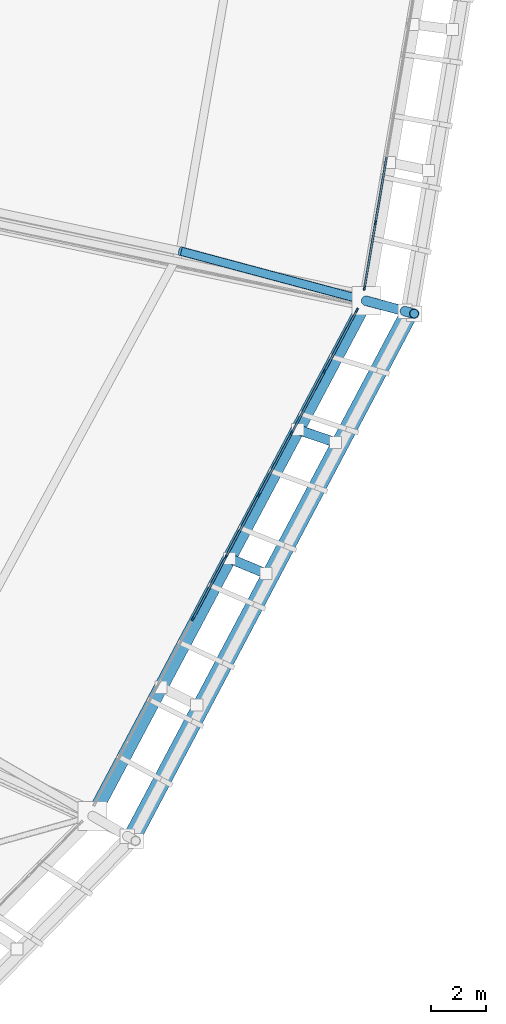
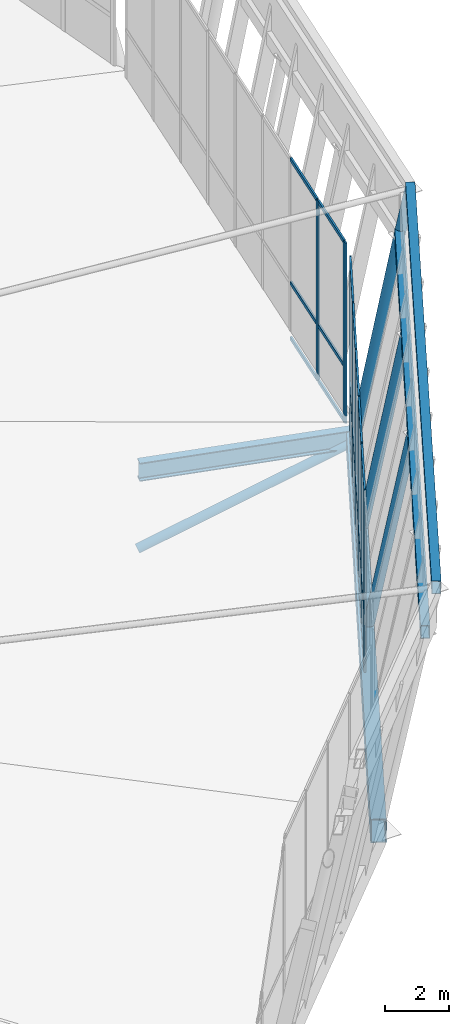
# One storey, part 48 of 115: 34 members, 4 beams, 2 elements without a shape of their own.
"""IFC4 building model written with IfcOpenShell, lengths in metres."""

from ifc_helpers import new_model, si_unit, direction, frame, origin, origin_2d, place, context, subcontext, project, spatial, rectangle, hollow_rectangle, hollow_circle, i_section, extrude, material, material_profile, profile_set, type_object, element, aggregate, save


model = new_model("IFC4")

# Units and contexts
model_context = context("Model", 3, precision=1e-05, world=origin(), true_north=direction((0.0, 1.0)))
body_context = subcontext(model_context, "Body", "Model", "MODEL_VIEW")
ifc_project = project(units=[si_unit("LENGTHUNIT", "METRE"), si_unit("AREAUNIT", "SQUARE_METRE"), si_unit("VOLUMEUNIT", "CUBIC_METRE"), si_unit("PLANEANGLEUNIT", "RADIAN"), si_unit("MASSUNIT", "GRAM", prefix="KILO")], contexts=[model_context])

# Site, building, storey
site_placement = place(None, origin())
site = spatial("IfcSite", under=ifc_project, at=site_placement, CompositionType="ELEMENT")
building_placement = place(site_placement, origin())
building = spatial("IfcBuilding", under=site, at=building_placement, Name="Zlatoyarsky Gate Stadium", CompositionType="ELEMENT")
storey_placement = place(building_placement, frame((0.0, 0.0, 31.800048828125)))
storey = spatial("IfcBuildingStorey", under=building, at=storey_placement, Name="RF", CompositionType="ELEMENT", Elevation=31.800048828125)

# Curtain wall, members
ifc_material_1 = material(Name="Thermally broken anodised aluminium curtain wall", Category="aluminium")
curtain_wall_type = type_object("IfcCurtainWallType", Name="UNITISED SKYBOX RING GLAZING L05", PredefinedType="USERDEFINED", material=ifc_material_1)
curtain_wall_1_placement = place(storey_placement, origin())
curtain_wall_1 = element("IfcCurtainWall", 1, at=curtain_wall_1_placement, inside=storey, type_object=curtain_wall_type, Name="Curtain wall CW-RF-22", ObjectType="UNITISED GLAZING", PredefinedType="USERDEFINED")
ifc_material_2 = material(Name="Anodised aluminium 6063-T6", Category="aluminium")
ifc_material_profile_1 = material_profile(ifc_material_2, rectangle(XDim=0.06494140625, YDim=0.159912109375, at=origin_2d()), Name="ALU 65X160")
ifc_profile_set_1 = profile_set([ifc_material_profile_1], Name="Anodised aluminium 6063-T6")
member_type_1 = type_object("IfcMemberType", Name="ALUMINIUM MULLION 65X160", PredefinedType="MULLION", material=ifc_profile_set_1)
member_1_placement = place(storey_placement, frame((201.294189453125, 48.18896484375, 0.0), z_axis=(0.0, 0.0, 1.0), x_axis=(-0.883130898599, 0.469126652345, 0.0)))
member_1 = element("IfcMember", 2, at=member_1_placement, type_object=member_type_1, Name="CW-UG5 mullion 4", PredefinedType="MULLION", context=body_context, shape_type="SweptSolid", body=[
    extrude(rectangle(XDim=0.06494140625, YDim=0.159912109375, at=origin_2d()), origin(), (0.0, 0.0, 1.0), 6.89990234375),
])
member_2_placement = place(storey_placement, frame((202.49462890625, 50.44873046875, 0.0), z_axis=(0.0, 0.0, 1.0), x_axis=(-0.883130898599, 0.469126652345, 0.0)))
member_2 = element("IfcMember", 3, at=member_2_placement, type_object=member_type_1, Name="CW-UG5 mullion 5", PredefinedType="MULLION", context=body_context, shape_type="SweptSolid", body=[
    extrude(rectangle(XDim=0.06494140625, YDim=0.159912109375, at=origin_2d()), origin(), (0.0, 0.0, 1.0), 6.89990234375),
])
member_3_placement = place(storey_placement, frame((203.695068359375, 52.70849609375, 0.0), z_axis=(0.0, 0.0, 1.0), x_axis=(-0.883130898599, 0.469126652345, 0.0)))
member_3 = element("IfcMember", 4, at=member_3_placement, type_object=member_type_1, Name="CW-UG5 mullion 6", PredefinedType="MULLION", context=body_context, shape_type="SweptSolid", body=[
    extrude(rectangle(XDim=0.06494140625, YDim=0.159912109375, at=origin_2d()), origin(), (0.0, 0.0, 1.0), 6.89990234375),
])
member_4_placement = place(storey_placement, frame((204.8955078125, 54.96826171875, 0.0), z_axis=(0.0, 0.0, 1.0), x_axis=(-0.883130898599, 0.469126652345, 0.0)))
member_4 = element("IfcMember", 5, at=member_4_placement, type_object=member_type_1, Name="CW-UG5 mullion 7", PredefinedType="MULLION", context=body_context, shape_type="SweptSolid", body=[
    extrude(rectangle(XDim=0.06494140625, YDim=0.159912109375, at=origin_2d()), origin(), (0.0, 0.0, 1.0), 6.89990234375),
])
member_5_placement = place(storey_placement, frame((206.095947265625, 57.22802734375, 0.0), z_axis=(0.0, 0.0, 1.0), x_axis=(-0.883130898599, 0.469126652345, 0.0)))
member_5 = element("IfcMember", 6, at=member_5_placement, type_object=member_type_1, Name="CW-UG5 mullion 8", PredefinedType="MULLION", context=body_context, shape_type="SweptSolid", body=[
    extrude(rectangle(XDim=0.06494140625, YDim=0.159912109375, at=origin_2d()), origin(), (0.0, 0.0, 1.0), 6.89990234375),
])
member_6_placement = place(storey_placement, frame((207.281005859375, 59.459228515625, 0.0), z_axis=(0.0, 0.0, 1.0), x_axis=(-0.883130898599, 0.469126652345, 0.0)))
member_6 = element("IfcMember", 7, at=member_6_placement, type_object=member_type_1, Name="CW-UG5 mullion 9", PredefinedType="MULLION", context=body_context, shape_type="SweptSolid", body=[
    extrude(rectangle(XDim=0.06494140625, YDim=0.159912109375, at=origin_2d()), origin(), (0.0, 0.0, 1.0), 6.89990234375),
])

curtain_wall_2_placement = place(storey_placement, origin())
curtain_wall_2 = element("IfcCurtainWall", 8, at=curtain_wall_2_placement, inside=storey, type_object=curtain_wall_type, Name="Curtain wall CW-RF-23", ObjectType="UNITISED GLAZING", PredefinedType="USERDEFINED")
member_7_placement = place(storey_placement, frame((207.555908203125, 60.267578125, 0.0), z_axis=(0.0, 0.0, 1.0), x_axis=(-0.986044463486, 0.166482179311, 0.0)))
member_7 = element("IfcMember", 9, at=member_7_placement, type_object=member_type_1, Name="CW-UG5 mullion 1", PredefinedType="MULLION", context=body_context, shape_type="SweptSolid", body=[
    extrude(rectangle(XDim=0.06494140625, YDim=0.159912109375, at=origin_2d()), origin(), (0.0, 0.0, 1.0), 6.89990234375),
])
member_8_placement = place(storey_placement, frame((207.95947265625, 62.65673828125, 0.0), z_axis=(0.0, 0.0, 1.0), x_axis=(-0.986044463486, 0.166482179311, 0.0)))
member_8 = element("IfcMember", 10, at=member_8_placement, type_object=member_type_1, Name="CW-UG5 mullion 2", PredefinedType="MULLION", context=body_context, shape_type="SweptSolid", body=[
    extrude(rectangle(XDim=0.06494140625, YDim=0.159912109375, at=origin_2d()), origin(), (0.0, 0.0, 1.0), 6.89990234375),
])

# Member
ifc_material_profile_2 = material_profile(ifc_material_2, rectangle(XDim=0.06494140625, YDim=0.139892578125, at=origin_2d()), Name="ALU 65X140")
ifc_profile_set_2 = profile_set([ifc_material_profile_2], Name="Anodised aluminium 6063-T6")
member_type_2 = type_object("IfcMemberType", Name="ALUMINIUM TRANSOM 65X140", PredefinedType="USERDEFINED", material=ifc_profile_set_2)
member_9_placement = place(storey_placement, frame((201.309326171875, 48.217529296875, 0.032470703125), z_axis=(0.469124208683, 0.883132196688, 0.0), x_axis=(-0.883132196688, 0.469124208683, 0.0)))
member_9 = element("IfcMember", 11, at=member_9_placement, type_object=member_type_2, Name="CW-UG5 transom 4.1", ObjectType="TRANSOM", PredefinedType="USERDEFINED", context=body_context, shape_type="SweptSolid", body=[
    extrude(rectangle(XDim=0.06494140625, YDim=0.139892578125, at=origin_2d()), origin(), (0.0, 0.0, 1.0), 2.493896484375),
])

member_10_placement = place(storey_placement, frame((201.309326171875, 48.217529296875, 2.14990234375), z_axis=(0.469124208683, 0.883132196688, 0.0), x_axis=(-0.883132196688, 0.469124208683, 0.0)))
member_10 = element("IfcMember", 12, at=member_10_placement, type_object=member_type_2, Name="CW-UG5 transom 4.2", ObjectType="TRANSOM", PredefinedType="USERDEFINED", context=body_context, shape_type="SweptSolid", body=[
    extrude(rectangle(XDim=0.06494140625, YDim=0.139892578125, at=origin_2d()), origin(), (0.0, 0.0, 1.0), 2.493896484375),
])

member_11_placement = place(storey_placement, frame((201.309326171875, 48.217529296875, 6.867431640625), z_axis=(0.469124208683, 0.883132196688, 0.0), x_axis=(-0.883132196688, 0.469124208683, 0.0)))
member_11 = element("IfcMember", 13, at=member_11_placement, type_object=member_type_2, Name="CW-UG5 transom 4.3", ObjectType="TRANSOM", PredefinedType="USERDEFINED", context=body_context, shape_type="SweptSolid", body=[
    extrude(rectangle(XDim=0.06494140625, YDim=0.139892578125, at=origin_2d()), origin(), (0.0, 0.0, 1.0), 2.493896484375),
])

member_12_placement = place(storey_placement, frame((202.509765625, 50.477294921875, 0.032470703125), z_axis=(0.469124208683, 0.883132196688, 0.0), x_axis=(-0.883132196688, 0.469124208683, 0.0)))
member_12 = element("IfcMember", 14, at=member_12_placement, type_object=member_type_2, Name="CW-UG5 transom 5.1", ObjectType="TRANSOM", PredefinedType="USERDEFINED", context=body_context, shape_type="SweptSolid", body=[
    extrude(rectangle(XDim=0.06494140625, YDim=0.139892578125, at=origin_2d()), origin(), (0.0, 0.0, 1.0), 2.493896484375),
])

member_13_placement = place(storey_placement, frame((202.509765625, 50.477294921875, 2.14990234375), z_axis=(0.469124208683, 0.883132196688, 0.0), x_axis=(-0.883132196688, 0.469124208683, 0.0)))
member_13 = element("IfcMember", 15, at=member_13_placement, type_object=member_type_2, Name="CW-UG5 transom 5.2", ObjectType="TRANSOM", PredefinedType="USERDEFINED", context=body_context, shape_type="SweptSolid", body=[
    extrude(rectangle(XDim=0.06494140625, YDim=0.139892578125, at=origin_2d()), origin(), (0.0, 0.0, 1.0), 2.493896484375),
])

member_14_placement = place(storey_placement, frame((202.509765625, 50.477294921875, 6.867431640625), z_axis=(0.469124208683, 0.883132196688, 0.0), x_axis=(-0.883132196688, 0.469124208683, 0.0)))
member_14 = element("IfcMember", 16, at=member_14_placement, type_object=member_type_2, Name="CW-UG5 transom 5.3", ObjectType="TRANSOM", PredefinedType="USERDEFINED", context=body_context, shape_type="SweptSolid", body=[
    extrude(rectangle(XDim=0.06494140625, YDim=0.139892578125, at=origin_2d()), origin(), (0.0, 0.0, 1.0), 2.493896484375),
])

member_15_placement = place(storey_placement, frame((203.710205078125, 52.7373046875, 0.032470703125), z_axis=(0.469124208683, 0.883132196688, 0.0), x_axis=(-0.883132196688, 0.469124208683, 0.0)))
member_15 = element("IfcMember", 17, at=member_15_placement, type_object=member_type_2, Name="CW-UG5 transom 6.1", ObjectType="TRANSOM", PredefinedType="USERDEFINED", context=body_context, shape_type="SweptSolid", body=[
    extrude(rectangle(XDim=0.06494140625, YDim=0.139892578125, at=origin_2d()), origin(), (0.0, 0.0, 1.0), 2.493896484375),
])

member_16_placement = place(storey_placement, frame((203.710205078125, 52.7373046875, 2.14990234375), z_axis=(0.469124208683, 0.883132196688, 0.0), x_axis=(-0.883132196688, 0.469124208683, 0.0)))
member_16 = element("IfcMember", 18, at=member_16_placement, type_object=member_type_2, Name="CW-UG5 transom 6.2", ObjectType="TRANSOM", PredefinedType="USERDEFINED", context=body_context, shape_type="SweptSolid", body=[
    extrude(rectangle(XDim=0.06494140625, YDim=0.139892578125, at=origin_2d()), origin(), (0.0, 0.0, 1.0), 2.493896484375),
])

member_17_placement = place(storey_placement, frame((203.710205078125, 52.7373046875, 6.867431640625), z_axis=(0.469124208683, 0.883132196688, 0.0), x_axis=(-0.883132196688, 0.469124208683, 0.0)))
member_17 = element("IfcMember", 19, at=member_17_placement, type_object=member_type_2, Name="CW-UG5 transom 6.3", ObjectType="TRANSOM", PredefinedType="USERDEFINED", context=body_context, shape_type="SweptSolid", body=[
    extrude(rectangle(XDim=0.06494140625, YDim=0.139892578125, at=origin_2d()), origin(), (0.0, 0.0, 1.0), 2.493896484375),
])

member_18_placement = place(storey_placement, frame((204.91064453125, 54.9970703125, 0.032470703125), z_axis=(0.469124208683, 0.883132196688, 0.0), x_axis=(-0.883132196688, 0.469124208683, 0.0)))
member_18 = element("IfcMember", 20, at=member_18_placement, type_object=member_type_2, Name="CW-UG5 transom 7.1", ObjectType="TRANSOM", PredefinedType="USERDEFINED", context=body_context, shape_type="SweptSolid", body=[
    extrude(rectangle(XDim=0.06494140625, YDim=0.139892578125, at=origin_2d()), origin(), (0.0, 0.0, 1.0), 2.493896484375),
])

member_19_placement = place(storey_placement, frame((204.91064453125, 54.9970703125, 2.14990234375), z_axis=(0.469124208683, 0.883132196688, 0.0), x_axis=(-0.883132196688, 0.469124208683, 0.0)))
member_19 = element("IfcMember", 21, at=member_19_placement, type_object=member_type_2, Name="CW-UG5 transom 7.2", ObjectType="TRANSOM", PredefinedType="USERDEFINED", context=body_context, shape_type="SweptSolid", body=[
    extrude(rectangle(XDim=0.06494140625, YDim=0.139892578125, at=origin_2d()), origin(), (0.0, 0.0, 1.0), 2.493896484375),
])

member_20_placement = place(storey_placement, frame((204.91064453125, 54.9970703125, 6.867431640625), z_axis=(0.469124208683, 0.883132196688, 0.0), x_axis=(-0.883132196688, 0.469124208683, 0.0)))
member_20 = element("IfcMember", 22, at=member_20_placement, type_object=member_type_2, Name="CW-UG5 transom 7.3", ObjectType="TRANSOM", PredefinedType="USERDEFINED", context=body_context, shape_type="SweptSolid", body=[
    extrude(rectangle(XDim=0.06494140625, YDim=0.139892578125, at=origin_2d()), origin(), (0.0, 0.0, 1.0), 2.493896484375),
])

member_21_placement = place(storey_placement, frame((206.111083984375, 57.2568359375, 0.032470703125), z_axis=(0.469176983035, 0.883104160669, 0.0), x_axis=(-0.883104160669, 0.469176983035, 0.0)))
member_21 = element("IfcMember", 23, at=member_21_placement, type_object=member_type_2, Name="CW-UG5 transom 8.1", ObjectType="TRANSOM", PredefinedType="USERDEFINED", context=body_context, shape_type="SweptSolid", body=[
    extrude(rectangle(XDim=0.06494140625, YDim=0.139892578125, at=origin_2d()), origin(), (0.0, 0.0, 1.0), 2.461181640625),
])

member_22_placement = place(storey_placement, frame((206.111083984375, 57.2568359375, 2.14990234375), z_axis=(0.469176983035, 0.883104160669, 0.0), x_axis=(-0.883104160669, 0.469176983035, 0.0)))
member_22 = element("IfcMember", 24, at=member_22_placement, type_object=member_type_2, Name="CW-UG5 transom 8.2", ObjectType="TRANSOM", PredefinedType="USERDEFINED", context=body_context, shape_type="SweptSolid", body=[
    extrude(rectangle(XDim=0.06494140625, YDim=0.139892578125, at=origin_2d()), origin(), (0.0, 0.0, 1.0), 2.461181640625),
])

member_23_placement = place(storey_placement, frame((206.111083984375, 57.2568359375, 6.867431640625), z_axis=(0.469176983035, 0.883104160669, 0.0), x_axis=(-0.883104160669, 0.469176983035, 0.0)))
member_23 = element("IfcMember", 25, at=member_23_placement, type_object=member_type_2, Name="CW-UG5 transom 8.3", ObjectType="TRANSOM", PredefinedType="USERDEFINED", context=body_context, shape_type="SweptSolid", body=[
    extrude(rectangle(XDim=0.06494140625, YDim=0.139892578125, at=origin_2d()), origin(), (0.0, 0.0, 1.0), 2.461181640625),
])

aggregate(curtain_wall_1, [member_1, member_2, member_3, member_4, member_5, member_6, member_9, member_10, member_11, member_12, member_13, member_14, member_15, member_16, member_17, member_18, member_19, member_20, member_21, member_22, member_23])

member_24_placement = place(storey_placement, frame((207.5615234375, 60.2998046875, 0.032470703125), z_axis=(0.16649746377, 0.986041882761, 0.0), x_axis=(-0.986041882761, 0.16649746377, 0.0)))
member_24 = element("IfcMember", 26, at=member_24_placement, type_object=member_type_2, Name="CW-UG5 transom 1.1", ObjectType="TRANSOM", PredefinedType="USERDEFINED", context=body_context, shape_type="SweptSolid", body=[
    extrude(rectangle(XDim=0.06494140625, YDim=0.139892578125, at=origin_2d()), origin(), (0.0, 0.0, 1.0), 2.35791015625),
])

member_25_placement = place(storey_placement, frame((207.5615234375, 60.2998046875, 2.14990234375), z_axis=(0.16649746377, 0.986041882761, 0.0), x_axis=(-0.986041882761, 0.16649746377, 0.0)))
member_25 = element("IfcMember", 27, at=member_25_placement, type_object=member_type_2, Name="CW-UG5 transom 1.2", ObjectType="TRANSOM", PredefinedType="USERDEFINED", context=body_context, shape_type="SweptSolid", body=[
    extrude(rectangle(XDim=0.06494140625, YDim=0.139892578125, at=origin_2d()), origin(), (0.0, 0.0, 1.0), 2.35791015625),
])

member_26_placement = place(storey_placement, frame((207.5615234375, 60.2998046875, 6.867431640625), z_axis=(0.16649746377, 0.986041882761, 0.0), x_axis=(-0.986041882761, 0.16649746377, 0.0)))
member_26 = element("IfcMember", 28, at=member_26_placement, type_object=member_type_2, Name="CW-UG5 transom 1.3", ObjectType="TRANSOM", PredefinedType="USERDEFINED", context=body_context, shape_type="SweptSolid", body=[
    extrude(rectangle(XDim=0.06494140625, YDim=0.139892578125, at=origin_2d()), origin(), (0.0, 0.0, 1.0), 2.35791015625),
])

member_27_placement = place(storey_placement, frame((207.96484375, 62.68896484375, 0.032470703125), z_axis=(0.166468789266, 0.986046724147, 0.0), x_axis=(-0.986046724147, 0.166468789266, 0.0)))
member_27 = element("IfcMember", 29, at=member_27_placement, type_object=member_type_2, Name="CW-UG5 transom 2.1", ObjectType="TRANSOM", PredefinedType="USERDEFINED", context=body_context, shape_type="SweptSolid", body=[
    extrude(rectangle(XDim=0.06494140625, YDim=0.139892578125, at=origin_2d()), origin(), (0.0, 0.0, 1.0), 2.390625),
])

member_28_placement = place(storey_placement, frame((207.96484375, 62.68896484375, 2.14990234375), z_axis=(0.166468789266, 0.986046724147, 0.0), x_axis=(-0.986046724147, 0.166468789266, 0.0)))
member_28 = element("IfcMember", 30, at=member_28_placement, type_object=member_type_2, Name="CW-UG5 transom 2.2", ObjectType="TRANSOM", PredefinedType="USERDEFINED", context=body_context, shape_type="SweptSolid", body=[
    extrude(rectangle(XDim=0.06494140625, YDim=0.139892578125, at=origin_2d()), origin(), (0.0, 0.0, 1.0), 2.390625),
])

member_29_placement = place(storey_placement, frame((207.96484375, 62.68896484375, 6.867431640625), z_axis=(0.166468789266, 0.986046724147, 0.0), x_axis=(-0.986046724147, 0.166468789266, 0.0)))
member_29 = element("IfcMember", 31, at=member_29_placement, type_object=member_type_2, Name="CW-UG5 transom 2.3", ObjectType="TRANSOM", PredefinedType="USERDEFINED", context=body_context, shape_type="SweptSolid", body=[
    extrude(rectangle(XDim=0.06494140625, YDim=0.139892578125, at=origin_2d()), origin(), (0.0, 0.0, 1.0), 2.390625),
])

aggregate(curtain_wall_2, [member_7, member_8, member_24, member_25, member_26, member_27, member_28, member_29])

# Members
ifc_material_3 = material(Name="Steel S355", Category="steel")
ifc_material_profile_3 = material_profile(ifc_material_3, hollow_circle(Radius=0.177734375, WallThickness=0.02001953125, at=origin_2d()), Name="CHS 355.6X20")
ifc_profile_set_3 = profile_set([ifc_material_profile_3], Name="Steel S355")
member_type_3 = type_object("IfcMemberType", Name="STEEL LEANING RIB RING STRUT CHS 355.6X20", PredefinedType="STRUT", material=ifc_profile_set_3)
member_30_placement = place(storey_placement, frame((202.622802734375, 50.3955078125, -0.449951171875), z_axis=(0.173752256627, -0.071968203626, 0.982156164255), x_axis=(0.382672823184, 0.923883926907, 0.0)))
element("IfcMember", 32, at=member_30_placement, inside=storey, type_object=member_type_3, Name="Outward-leaning bowl louvre fin rib RF 22-2", PredefinedType="STRUT", context=body_context, shape_type="SweptSolid", body=[
    extrude(hollow_circle(Radius=0.177734375, WallThickness=0.02001953125, at=origin_2d()), origin(), (0.0, 0.0, 1.0), 7.738037109375),
])
member_31_placement = place(storey_placement, frame((205.12109375, 55.100341796875, -0.449951171875), z_axis=(0.178440689667, -0.060542376851, 0.982086320481), x_axis=(0.32129634475, 0.946978700315, 0.0)))
element("IfcMember", 33, at=member_31_placement, inside=storey, type_object=member_type_3, Name="Outward-leaning bowl louvre fin rib RF 22-3", PredefinedType="STRUT", context=body_context, shape_type="SweptSolid", body=[
    extrude(hollow_circle(Radius=0.177734375, WallThickness=0.02001953125, at=origin_2d()), origin(), (0.0, 0.0, 1.0), 7.738525390625),
])
member_32_placement = place(storey_placement, frame((207.619140625, 59.804931640625, -0.449951171875), z_axis=(0.183161786011, -0.049078653183, 0.981856937617), x_axis=(0.258821999954, 0.965925034534, 0.0)))
element("IfcMember", 34, at=member_32_placement, inside=storey, type_object=member_type_3, Name="Outward-leaning crown fascia lower post 23", PredefinedType="STRUT", context=body_context, shape_type="SweptSolid", body=[
    extrude(hollow_circle(Radius=0.177734375, WallThickness=0.02001953125, at=origin_2d()), origin(), (0.0, 0.0, 1.0), 7.740234375),
])
member_33_placement = place(storey_placement, frame((209.036865234375, 59.425048828125, 7.14990234375), z_axis=(0.194145508575, -0.052053505922, 0.979590707398), x_axis=(0.258969313954, 0.965885549343, 0.0)))
element("IfcMember", 35, at=member_33_placement, inside=storey, type_object=member_type_3, Name="Outward-leaning crown fascia upper post 23", PredefinedType="STRUT", context=body_context, shape_type="SweptSolid", body=[
    extrude(hollow_circle(Radius=0.177734375, WallThickness=0.02001953125, at=origin_2d()), origin(), (0.0, 0.0, 1.0), 1.7353515625),
])

# Beams
ifc_material_profile_4 = material_profile(ifc_material_3, hollow_rectangle(XDim=0.300048828125, YDim=0.5, WallThickness=0.02001953125, at=origin_2d()), Name="RHS 500X300X20")
ifc_profile_set_4 = profile_set([ifc_material_profile_4], Name="Steel S355")
beam_type_1 = type_object("IfcBeamType", Name="STEEL LOUVRE CARRIER SPANDREL RHS 500X300X20", PredefinedType="SPANDREL", material=ifc_profile_set_4)
beam_1_placement = place(storey_placement, frame((198.8974609375, 40.252197265625, 7.14990234375), z_axis=(0.467494091693, 0.883996195825, 0.0), x_axis=(-0.883996195825, 0.467494091693, 0.0)))
element("IfcBeam", 36, at=beam_1_placement, inside=storey, type_object=beam_type_1, Name="Crown eaves fascia bottom carrier spandrel 22", PredefinedType="SPANDREL", context=body_context, shape_type="SweptSolid", body=[
    extrude(hollow_rectangle(XDim=0.300048828125, YDim=0.5, WallThickness=0.02001953125, at=origin_2d()), origin(), (0.0, 0.0, 1.0), 21.688720703125),
])
beam_2_placement = place(storey_placement, frame((199.19970703125, 40.077880859375, 8.849853515625), z_axis=(0.467144347862, 0.884181066445, 0.0), x_axis=(-0.884181066445, 0.467144347862, 0.0)))
element("IfcBeam", 37, at=beam_2_placement, inside=storey, type_object=beam_type_1, Name="Crown fascia top carrier spandrel 22", PredefinedType="SPANDREL", context=body_context, shape_type="SweptSolid", body=[
    extrude(hollow_rectangle(XDim=0.300048828125, YDim=0.5, WallThickness=0.02001953125, at=origin_2d()), origin(), (0.0, 0.0, 1.0), 21.779296875),
])
ifc_material_profile_5 = material_profile(ifc_material_3, hollow_rectangle(XDim=0.5, YDim=0.89990234375, WallThickness=0.028076171875, at=origin_2d()), Name="RHS 900X500X28")
ifc_profile_set_5 = profile_set([ifc_material_profile_5], Name="Steel S355")
beam_type_2 = type_object("IfcBeamType", Name="STEEL OUTER COMPRESSION RING BEAM RHS 900X500X28", PredefinedType="USERDEFINED", material=ifc_profile_set_5)
beam_3_placement = place(storey_placement, frame((197.62646484375, 40.986083984375, -0.449951171875), z_axis=(0.468978170829, 0.883209757241, 0.0), x_axis=(-0.883209757241, 0.468978170829, 0.0)))
element("IfcBeam", 38, at=beam_3_placement, inside=storey, type_object=beam_type_2, Name="Outer compression ring beam 22", ObjectType="RING BEAM", PredefinedType="USERDEFINED", context=body_context, shape_type="SweptSolid", body=[
    extrude(hollow_rectangle(XDim=0.5, YDim=0.89990234375, WallThickness=0.028076171875, at=origin_2d()), origin(), (0.0, 0.0, 1.0), 21.307373046875),
])
ifc_material_profile_6 = material_profile(ifc_material_3, i_section(OverallWidth=0.300048828125, OverallDepth=0.699951171875, WebThickness=0.01708984375, FlangeThickness=0.031982421875, FilletRadius=0.027099609375, at=origin_2d()), Name="HEB 700")
ifc_profile_set_6 = profile_set([ifc_material_profile_6], Name="Steel S355")
beam_type_3 = type_object("IfcBeamType", Name="STEEL ROOF RING GIRDER HEB 700", PredefinedType="BEAM", material=ifc_profile_set_6)
beam_4_placement = place(storey_placement, frame((200.86962890625, 61.61328125, -0.300048828125), z_axis=(0.965932144548, -0.258795463889, 0.0), x_axis=(0.258795463889, 0.965932144548, 0.0)))
element("IfcBeam", 39, at=beam_4_placement, inside=storey, type_object=beam_type_3, Name="RF roof tie girder BM-RF-COUT-23", PredefinedType="BEAM", context=body_context, shape_type="SweptSolid", body=[
    extrude(i_section(OverallWidth=0.300048828125, OverallDepth=0.699951171875, WebThickness=0.01708984375, FlangeThickness=0.031982421875, FilletRadius=0.027099609375, at=origin_2d()), origin(), (0.0, 0.0, 1.0), 6.987548828125),
])

# Member
ifc_material_profile_7 = material_profile(ifc_material_3, hollow_circle(Radius=0.161865234375, WallThickness=0.01611328125, at=origin_2d()), Name="CHS 323.9X16")
ifc_profile_set_7 = profile_set([ifc_material_profile_7], Name="Steel S355")
member_type_4 = type_object("IfcMemberType", Name="STEEL TRUSS WEB STRUT CHS 323.9X16", PredefinedType="STRUT", material=ifc_profile_set_7)
member_34_placement = place(storey_placement, frame((200.8310546875, 61.623779296875, -3.300048828125), z_axis=(0.895113302245, -0.239842975893, 0.375829114171), x_axis=(0.258817121486, 0.965926341718, 0.0)))
element("IfcMember", 40, at=member_34_placement, inside=storey, type_object=member_type_4, Name="Arch heel prop 23", PredefinedType="STRUT", context=body_context, shape_type="SweptSolid", body=[
    extrude(hollow_circle(Radius=0.161865234375, WallThickness=0.01611328125, at=origin_2d()), origin(), (0.0, 0.0, 1.0), 7.58349609375),
])

save(model, "model.ifc")
